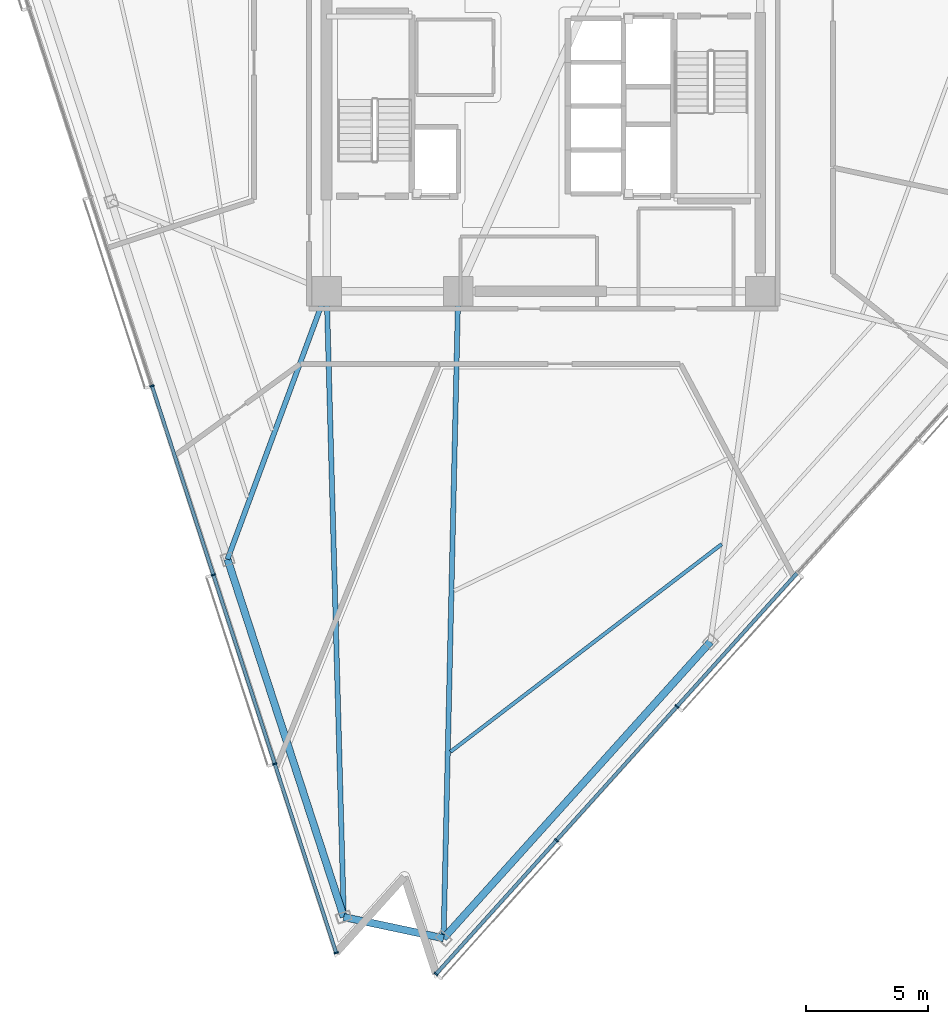
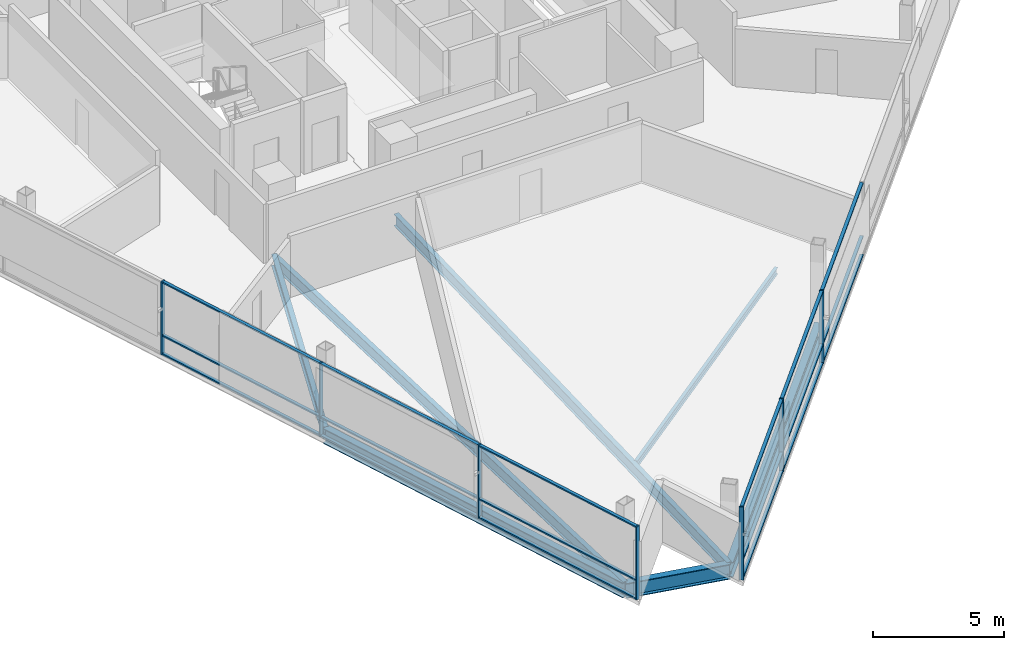
# One storey, part 2 of 17: 25 members, 7 beams, 2 elements without a shape of their own.
"""IFC4 building model written with IfcOpenShell, lengths in metres."""

import ifcopenshell
import ifcopenshell.guid

model = None  # the IFC model being written
_history = None  # IfcOwnerHistory: only IFC2X3 demands one
_inside = {}  # id of a spatial element -> (the spatial element, [elements in it])
_under = {}  # id of a project, library or spatial element -> (it, [spatial elements below it])
_declared = {}  # id of a project -> (the project, [libraries it declares])
_typed = {}  # id of a type object -> (the type object, [elements of that type])
_made_of = {}  # id of a material, layer set ... -> (it, [elements and type objects made of it])


def new_model(schema):
    """Start an empty IFC model of exactly this schema.

    Asked for "IFC4X3", IfcOpenShell would pick the latest addendum, in which some entities
    have other attributes; the version numbers below select the first issue.
    IFC2X3 requires an IfcOwnerHistory on every rooted entity: one is made here for all.
    """
    global model, _history
    if schema == "IFC4X3":
        model = ifcopenshell.file(schema_version=(4, 3, 0, 0))
    else:
        model = ifcopenshell.file(schema=schema)
    _inside.clear()
    _under.clear()
    _declared.clear()
    _typed.clear()
    _made_of.clear()
    _history = None
    if model.schema == "IFC2X3":
        org = make("IfcOrganization", Name="unknown")
        user = make(
            "IfcPersonAndOrganization",
            ThePerson=make("IfcPerson", FamilyName="unknown"),
            TheOrganization=org,
        )
        app = make(
            "IfcApplication",
            ApplicationDeveloper=org,
            Version="unknown",
            ApplicationFullName="unknown",
            ApplicationIdentifier="unknown",
        )
        _history = make(
            "IfcOwnerHistory",
            OwningUser=user,
            OwningApplication=app,
            ChangeAction="ADDED",
            CreationDate=0,
        )
    return model


def make(cls, **values):
    """One entity of the class cls with the attributes given. An attribute that is None is left unset."""
    return model.create_entity(
        cls, **{name: value for name, value in values.items() if value is not None}
    )


def rooted(cls, **values):
    """An entity with a GlobalId (a new one), such as an element, a storey or a relation."""
    return make(cls, GlobalId=ifcopenshell.guid.new(), OwnerHistory=_history, **values)


def si_unit(unit_type, name, prefix=None):
    """IfcSIUnit, for example si_unit("LENGTHUNIT", "METRE", prefix="MILLI")."""
    return make("IfcSIUnit", UnitType=unit_type, Prefix=prefix, Name=name)


def assignment(units):
    """IfcUnitAssignment: the units of a project."""
    return None if units is None else make("IfcUnitAssignment", Units=units)


def point(xyz):
    """IfcCartesianPoint."""
    return None if xyz is None else make("IfcCartesianPoint", Coordinates=xyz)


def direction(xyz):
    """IfcDirection."""
    return None if xyz is None else make("IfcDirection", DirectionRatios=xyz)


def frame(location, z_axis=None, x_axis=None):
    """IfcAxis2Placement3D, a coordinate frame: its origin and axes. An axis left out is left unset."""
    return make(
        "IfcAxis2Placement3D",
        Location=point(location),
        Axis=direction(z_axis),
        RefDirection=direction(x_axis),
    )


def frame_2d(location, x_axis=None):
    """IfcAxis2Placement2D, a coordinate frame in the plane: its origin and x axis."""
    return make(
        "IfcAxis2Placement2D", Location=point(location), RefDirection=direction(x_axis)
    )


def origin():
    """The frame at (0, 0, 0) with its axes left unset."""
    return frame((0.0, 0.0, 0.0))


def origin_2d():
    """The frame at (0, 0) in the plane with its x axis left unset."""
    return frame_2d((0.0, 0.0))


def place(relative_to, where):
    """IfcLocalPlacement: puts the frame where relative to a parent placement (None: the world)."""
    return make(
        "IfcLocalPlacement", PlacementRelTo=relative_to, RelativePlacement=where
    )


def context(
    kind, dimensions, precision=None, world=None, true_north=None, identifier=None
):
    """IfcGeometricRepresentationContext, for example the 3D "Model" context."""
    return make(
        "IfcGeometricRepresentationContext",
        ContextIdentifier=identifier,
        ContextType=kind,
        CoordinateSpaceDimension=dimensions,
        Precision=precision,
        WorldCoordinateSystem=world,
        TrueNorth=true_north,
    )


def subcontext(parent, identifier, kind, view, scale=None):
    """IfcGeometricRepresentationSubContext, for example "Body" below "Model"."""
    return make(
        "IfcGeometricRepresentationSubContext",
        ContextIdentifier=identifier,
        ContextType=kind,
        ParentContext=parent,
        TargetScale=scale,
        TargetView=view,
    )


def project(units=None, contexts=None):
    """IfcProject with its units and contexts."""
    return rooted(
        "IfcProject",
        Name="project",
        RepresentationContexts=contexts,
        UnitsInContext=assignment(units),
    )


def spatial(cls, under=None, at=None, **own):
    """A site, building, storey or space (cls), placed at a placement, below another one or the project."""
    s = rooted(cls, ObjectPlacement=at, **own)
    if under is not None:
        _under.setdefault(under.id(), (under, []))[1].append(s)
    return s


def profile(cls, at=None, kind="AREA", **sizes):
    """A parametric profile (cls). Its sizes go by their IFC names, for example OverallWidth=200.0."""
    return make(cls, ProfileType=kind, Position=at, **sizes)


def rectangle(**sizes):
    """IfcRectangleProfileDef."""
    return profile("IfcRectangleProfileDef", **sizes)


def i_section(**sizes):
    """IfcIShapeProfileDef."""
    return profile("IfcIShapeProfileDef", **sizes)


def extrude(swept, where, along, depth):
    """IfcExtrudedAreaSolid: the profile swept, set in the frame where, extruded along a direction by depth."""
    return make(
        "IfcExtrudedAreaSolid",
        SweptArea=swept,
        Position=where,
        ExtrudedDirection=direction(along),
        Depth=depth,
    )


def shape(context_of_items, identifier, shape_type, items):
    """IfcShapeRepresentation: the items that make up one representation, for example the "Body"."""
    return make(
        "IfcShapeRepresentation",
        ContextOfItems=context_of_items,
        RepresentationIdentifier=identifier,
        RepresentationType=shape_type,
        Items=items,
    )


def material(Name=None, Category=None):
    """IfcMaterial."""
    return make("IfcMaterial", Name=Name, Category=Category)


def layer(
    of_material, thickness, ventilated=None, Name=None, Category=None, Priority=None
):
    """IfcMaterialLayer: one layer of a wall or slab, of a material (None: an air gap)."""
    return make(
        "IfcMaterialLayer",
        Material=of_material,
        LayerThickness=thickness,
        IsVentilated=ventilated,
        Name=Name,
        Category=Category,
        Priority=Priority,
    )


def layer_set(layers, Name=None):
    """IfcMaterialLayerSet."""
    return make("IfcMaterialLayerSet", MaterialLayers=layers, LayerSetName=Name)


def material_profile(
    of_material, cross_section, Name=None, Category=None, Priority=None
):
    """IfcMaterialProfile: a cross section and its material."""
    return make(
        "IfcMaterialProfile",
        Name=Name,
        Material=of_material,
        Profile=cross_section,
        Priority=Priority,
        Category=Category,
    )


def profile_set(profiles, Name=None, composite=None):
    """IfcMaterialProfileSet."""
    return make(
        "IfcMaterialProfileSet",
        Name=Name,
        MaterialProfiles=profiles,
        CompositeProfile=composite,
    )


def made_of(thing, what):
    """Note that an element or type object is made of a material, layer set ...; save() writes the relation."""
    if what is not None:
        _made_of.setdefault(what.id(), (what, []))[1].append(thing)
    return thing


def type_object(cls, material=None, **own):
    """A type object (cls), such as IfcWallType, which elements share."""
    return made_of(rooted(cls, **own), material)


def element(
    cls,
    number,
    at=None,
    inside=None,
    cuts=None,
    type_object=None,
    material=None,
    context=None,
    identifier="Body",
    shape_type=None,
    held_by="IfcProductDefinitionShape",
    body=None,
    shapes=None,
    **own,
):
    """One element of the class cls, such as IfcWall. Its Tag is "e" and its number.

    at: its placement. inside: the storey or other place that contains it. cuts: it is an
    opening in that element (IfcRelVoidsElement). A single representation is given by context,
    identifier, shape_type and body (its items); several are given by shapes. held_by: the class
    of the entity that holds the representations. save() writes the other relations.
    """
    e = rooted(cls, Tag="e%d" % number, ObjectPlacement=at, **own)
    if body is not None:
        shapes = [shape(context, identifier, shape_type, body)]
    if shapes is not None:
        e.Representation = make(held_by, Representations=shapes)
    if inside is not None:
        _inside.setdefault(inside.id(), (inside, []))[1].append(e)
    if cuts is not None:
        rooted(
            "IfcRelVoidsElement", RelatingBuildingElement=cuts, RelatedOpeningElement=e
        )
    if type_object is not None:
        _typed.setdefault(type_object.id(), (type_object, []))[1].append(e)
    return made_of(e, material)


def aggregate(whole, parts):
    """IfcRelAggregates: a whole, such as a stair, and the parts it consists of."""
    return rooted("IfcRelAggregates", RelatingObject=whole, RelatedObjects=parts)


def save(model, path):
    """Write the relations noted so far, then the file.

    IfcRelAggregates (storeys below a building ...), IfcRelContainedInSpatialStructure (elements
    in a storey), IfcRelDefinesByType, IfcRelAssociatesMaterial and IfcRelDeclares: one each for
    every whole, place, type object, material and project.
    """
    for whole, parts in _under.values():
        aggregate(whole, parts)
    for where, things in _inside.values():
        rooted(
            "IfcRelContainedInSpatialStructure",
            RelatedElements=things,
            RelatingStructure=where,
        )
    for kind, things in _typed.values():
        rooted("IfcRelDefinesByType", RelatedObjects=things, RelatingType=kind)
    for what, things in _made_of.values():
        rooted("IfcRelAssociatesMaterial", RelatedObjects=things, RelatingMaterial=what)
    for by, libraries in _declared.values():
        rooted("IfcRelDeclares", RelatingContext=by, RelatedDefinitions=libraries)
    model.write(path)


model = new_model("IFC4")

# Units and contexts
model_context = context("Model", 3, precision=1e-05, world=origin(), true_north=direction((0.0, 1.0)))
body_context = subcontext(model_context, "Body", "Model", "MODEL_VIEW")
ifc_project = project(units=[si_unit("LENGTHUNIT", "METRE"), si_unit("AREAUNIT", "SQUARE_METRE"), si_unit("VOLUMEUNIT", "CUBIC_METRE"), si_unit("PLANEANGLEUNIT", "RADIAN"), si_unit("MASSUNIT", "GRAM", prefix="KILO")], contexts=[model_context])

# Site, building, storey
site_placement = place(None, origin())
site = spatial("IfcSite", under=ifc_project, at=site_placement, CompositionType="ELEMENT")
building_placement = place(site_placement, origin())
building = spatial("IfcBuilding", under=site, at=building_placement, Name="Tharavind Bronze Gate", CompositionType="ELEMENT")
storey_placement = place(building_placement, frame((0.0, 0.0, 200.449951171875)))
storey = spatial("IfcBuildingStorey", under=building, at=storey_placement, Name="L51", CompositionType="ELEMENT", Elevation=200.449951171875)

# Curtain wall, members
ifc_material_1 = material(Name="Anodised Bronze Aluminium", Category="aluminium")
ifc_layer = layer(ifc_material_1, 0.219970703125)
ifc_layer_set = layer_set([ifc_layer], Name="Anodised Bronze Aluminium")
curtain_wall_type = type_object("IfcCurtainWallType", Name="UNITISED CURTAIN WALL MID OFFICE", PredefinedType="USERDEFINED", material=ifc_layer_set)
curtain_wall_1_placement = place(storey_placement, origin())
curtain_wall_1 = element("IfcCurtainWall", 1, at=curtain_wall_1_placement, inside=storey, type_object=curtain_wall_type, Name="L51 unitised curtain wall mid office CW-L51-S1", ObjectType="UNITISED CURTAIN WALL", PredefinedType="USERDEFINED")
member_type_1 = type_object("IfcMemberType", Name="CURTAIN WALL BRONZE MULLION 65X180", PredefinedType="MULLION", material=ifc_material_1)
member_1_placement = place(storey_placement, frame((-16.0693359375, -11.489013671875, 0.0), z_axis=(0.0, 0.0, 1.0), x_axis=(0.309016994375, -0.951056516295, 0.0)))
member_1 = element("IfcMember", 2, at=member_1_placement, type_object=member_type_1, Name="CW-L51-S1 mullion 4", PredefinedType="MULLION", context=body_context, shape_type="SweptSolid", body=[
    extrude(rectangle(XDim=0.06494140625, YDim=0.179931640625, at=origin_2d()), origin(), (0.0, 0.0, 1.0), 3.419921875),
])
member_2_placement = place(storey_placement, frame((-13.54931640625, -19.24560546875, 0.0), z_axis=(0.0, 0.0, 1.0), x_axis=(0.309016994375, -0.951056516295, 0.0)))
member_2 = element("IfcMember", 3, at=member_2_placement, type_object=member_type_1, Name="CW-L51-S1 mullion 5", PredefinedType="MULLION", context=body_context, shape_type="SweptSolid", body=[
    extrude(rectangle(XDim=0.06494140625, YDim=0.179931640625, at=origin_2d()), origin(), (0.0, 0.0, 1.0), 3.419921875),
])
member_3_placement = place(storey_placement, frame((-11.029052734375, -27.002197265625, 0.0), z_axis=(0.0, 0.0, 1.0), x_axis=(0.309016994375, -0.951056516295, 0.0)))
member_3 = element("IfcMember", 4, at=member_3_placement, type_object=member_type_1, Name="CW-L51-S1 mullion 6", PredefinedType="MULLION", context=body_context, shape_type="SweptSolid", body=[
    extrude(rectangle(XDim=0.06494140625, YDim=0.179931640625, at=origin_2d()), origin(), (0.0, 0.0, 1.0), 3.419921875),
])
member_4_placement = place(storey_placement, frame((-8.5087890625, -34.7587890625, 0.0), z_axis=(0.0, 0.0, 1.0), x_axis=(0.309016994375, -0.951056516295, 0.0)))
member_4 = element("IfcMember", 5, at=member_4_placement, type_object=member_type_1, Name="CW-L51-S1 mullion 7", PredefinedType="MULLION", context=body_context, shape_type="SweptSolid", body=[
    extrude(rectangle(XDim=0.06494140625, YDim=0.179931640625, at=origin_2d()), origin(), (0.0, 0.0, 1.0), 3.419921875),
])

curtain_wall_2_placement = place(storey_placement, origin())
curtain_wall_2 = element("IfcCurtainWall", 6, at=curtain_wall_2_placement, inside=storey, type_object=curtain_wall_type, Name="L51 unitised curtain wall mid office CW-L51-S2", ObjectType="UNITISED CURTAIN WALL", PredefinedType="USERDEFINED")
member_5_placement = place(storey_placement, frame((-4.412109375, -35.62939453125, 0.0), z_axis=(0.0, 0.0, 1.0), x_axis=(0.669130606359, 0.743144825477, 0.0)))
member_5 = element("IfcMember", 7, at=member_5_placement, type_object=member_type_1, Name="CW-L51-S2 mullion 1", PredefinedType="MULLION", context=body_context, shape_type="SweptSolid", body=[
    extrude(rectangle(XDim=0.06494140625, YDim=0.179931640625, at=origin_2d()), origin(), (0.0, 0.0, 1.0), 3.419921875),
])
member_6_placement = place(storey_placement, frame((0.5322265625, -30.13818359375, 0.0), z_axis=(0.0, 0.0, 1.0), x_axis=(0.669130606359, 0.743144825477, 0.0)))
member_6 = element("IfcMember", 8, at=member_6_placement, type_object=member_type_1, Name="CW-L51-S2 mullion 2", PredefinedType="MULLION", context=body_context, shape_type="SweptSolid", body=[
    extrude(rectangle(XDim=0.06494140625, YDim=0.179931640625, at=origin_2d()), origin(), (0.0, 0.0, 1.0), 3.419921875),
])
member_7_placement = place(storey_placement, frame((5.476806640625, -24.646484375, 0.0), z_axis=(0.0, 0.0, 1.0), x_axis=(0.669130606359, 0.743144825477, 0.0)))
member_7 = element("IfcMember", 9, at=member_7_placement, type_object=member_type_1, Name="CW-L51-S2 mullion 3", PredefinedType="MULLION", context=body_context, shape_type="SweptSolid", body=[
    extrude(rectangle(XDim=0.06494140625, YDim=0.179931640625, at=origin_2d()), origin(), (0.0, 0.0, 1.0), 3.419921875),
])

# Member
member_type_2 = type_object("IfcMemberType", Name="CURTAIN WALL BRONZE TRANSOM 65X140", PredefinedType="USERDEFINED", material=ifc_material_1)
member_8_placement = place(storey_placement, frame((-14.809326171875, -15.367431640625, 0.0), z_axis=(0.0, 0.0, 1.0), x_axis=(0.309016994375, -0.951056516295, 0.0)))
member_8 = element("IfcMember", 10, at=member_8_placement, type_object=member_type_2, Name="CW-L51-S1 transom TB4", ObjectType="TRANSOM", PredefinedType="USERDEFINED", context=body_context, shape_type="SweptSolid", body=[
    extrude(rectangle(XDim=8.102783203125, YDim=0.139892578125, at=origin_2d()), origin(), (0.0, 0.0, 1.0), 0.06494140625),
])

member_9_placement = place(storey_placement, frame((-14.809326171875, -15.367431640625, 0.86767578125), z_axis=(0.0, 0.0, 1.0), x_axis=(0.309016994375, -0.951056516295, 0.0)))
member_9 = element("IfcMember", 11, at=member_9_placement, type_object=member_type_2, Name="CW-L51-S1 transom TS4", ObjectType="TRANSOM", PredefinedType="USERDEFINED", context=body_context, shape_type="SweptSolid", body=[
    extrude(rectangle(XDim=8.102783203125, YDim=0.139892578125, at=origin_2d()), origin(), (0.0, 0.0, 1.0), 0.06494140625),
])

member_10_placement = place(storey_placement, frame((-14.809326171875, -15.367431640625, 3.35498046875), z_axis=(0.0, 0.0, 1.0), x_axis=(0.309016994375, -0.951056516295, 0.0)))
member_10 = element("IfcMember", 12, at=member_10_placement, type_object=member_type_2, Name="CW-L51-S1 transom TT4", ObjectType="TRANSOM", PredefinedType="USERDEFINED", context=body_context, shape_type="SweptSolid", body=[
    extrude(rectangle(XDim=8.102783203125, YDim=0.139892578125, at=origin_2d()), origin(), (0.0, 0.0, 1.0), 0.06494140625),
])

member_11_placement = place(storey_placement, frame((-12.2890625, -23.123779296875, 0.0), z_axis=(0.0, 0.0, 1.0), x_axis=(0.309016994375, -0.951056516295, 0.0)))
member_11 = element("IfcMember", 13, at=member_11_placement, type_object=member_type_2, Name="CW-L51-S1 transom TB5", ObjectType="TRANSOM", PredefinedType="USERDEFINED", context=body_context, shape_type="SweptSolid", body=[
    extrude(rectangle(XDim=8.102783203125, YDim=0.139892578125, at=origin_2d()), origin(), (0.0, 0.0, 1.0), 0.06494140625),
])

member_12_placement = place(storey_placement, frame((-12.2890625, -23.123779296875, 0.86767578125), z_axis=(0.0, 0.0, 1.0), x_axis=(0.309016994375, -0.951056516295, 0.0)))
member_12 = element("IfcMember", 14, at=member_12_placement, type_object=member_type_2, Name="CW-L51-S1 transom TS5", ObjectType="TRANSOM", PredefinedType="USERDEFINED", context=body_context, shape_type="SweptSolid", body=[
    extrude(rectangle(XDim=8.102783203125, YDim=0.139892578125, at=origin_2d()), origin(), (0.0, 0.0, 1.0), 0.06494140625),
])

member_13_placement = place(storey_placement, frame((-12.2890625, -23.123779296875, 3.35498046875), z_axis=(0.0, 0.0, 1.0), x_axis=(0.309016994375, -0.951056516295, 0.0)))
member_13 = element("IfcMember", 15, at=member_13_placement, type_object=member_type_2, Name="CW-L51-S1 transom TT5", ObjectType="TRANSOM", PredefinedType="USERDEFINED", context=body_context, shape_type="SweptSolid", body=[
    extrude(rectangle(XDim=8.102783203125, YDim=0.139892578125, at=origin_2d()), origin(), (0.0, 0.0, 1.0), 0.06494140625),
])

member_14_placement = place(storey_placement, frame((-9.768798828125, -30.88037109375, 0.0), z_axis=(0.0, 0.0, 1.0), x_axis=(0.309016994375, -0.951056516295, 0.0)))
member_14 = element("IfcMember", 16, at=member_14_placement, type_object=member_type_2, Name="CW-L51-S1 transom TB6", ObjectType="TRANSOM", PredefinedType="USERDEFINED", context=body_context, shape_type="SweptSolid", body=[
    extrude(rectangle(XDim=8.102783203125, YDim=0.139892578125, at=origin_2d()), origin(), (0.0, 0.0, 1.0), 0.06494140625),
])

member_15_placement = place(storey_placement, frame((-9.768798828125, -30.88037109375, 0.86767578125), z_axis=(0.0, 0.0, 1.0), x_axis=(0.309016994375, -0.951056516295, 0.0)))
member_15 = element("IfcMember", 17, at=member_15_placement, type_object=member_type_2, Name="CW-L51-S1 transom TS6", ObjectType="TRANSOM", PredefinedType="USERDEFINED", context=body_context, shape_type="SweptSolid", body=[
    extrude(rectangle(XDim=8.102783203125, YDim=0.139892578125, at=origin_2d()), origin(), (0.0, 0.0, 1.0), 0.06494140625),
])

member_16_placement = place(storey_placement, frame((-9.768798828125, -30.88037109375, 3.35498046875), z_axis=(0.0, 0.0, 1.0), x_axis=(0.309016994375, -0.951056516295, 0.0)))
member_16 = element("IfcMember", 18, at=member_16_placement, type_object=member_type_2, Name="CW-L51-S1 transom TT6", ObjectType="TRANSOM", PredefinedType="USERDEFINED", context=body_context, shape_type="SweptSolid", body=[
    extrude(rectangle(XDim=8.102783203125, YDim=0.139892578125, at=origin_2d()), origin(), (0.0, 0.0, 1.0), 0.06494140625),
])

aggregate(curtain_wall_1, [member_1, member_2, member_3, member_4, member_8, member_9, member_10, member_11, member_12, member_13, member_14, member_15, member_16])

member_17_placement = place(storey_placement, frame((-1.93994140625, -32.8837890625, 0.0), z_axis=(0.0, 0.0, 1.0), x_axis=(0.669130606359, 0.743144825477, 0.0)))
member_17 = element("IfcMember", 19, at=member_17_placement, type_object=member_type_2, Name="CW-L51-S2 transom TB1", ObjectType="TRANSOM", PredefinedType="USERDEFINED", context=body_context, shape_type="SweptSolid", body=[
    extrude(rectangle(XDim=7.33642578125, YDim=0.139892578125, at=origin_2d()), origin(), (0.0, 0.0, 1.0), 0.06494140625),
])

member_18_placement = place(storey_placement, frame((-1.93994140625, -32.8837890625, 0.86767578125), z_axis=(0.0, 0.0, 1.0), x_axis=(0.669130606359, 0.743144825477, 0.0)))
member_18 = element("IfcMember", 20, at=member_18_placement, type_object=member_type_2, Name="CW-L51-S2 transom TS1", ObjectType="TRANSOM", PredefinedType="USERDEFINED", context=body_context, shape_type="SweptSolid", body=[
    extrude(rectangle(XDim=7.33642578125, YDim=0.139892578125, at=origin_2d()), origin(), (0.0, 0.0, 1.0), 0.06494140625),
])

member_19_placement = place(storey_placement, frame((-1.93994140625, -32.8837890625, 3.35498046875), z_axis=(0.0, 0.0, 1.0), x_axis=(0.669130606359, 0.743144825477, 0.0)))
member_19 = element("IfcMember", 21, at=member_19_placement, type_object=member_type_2, Name="CW-L51-S2 transom TT1", ObjectType="TRANSOM", PredefinedType="USERDEFINED", context=body_context, shape_type="SweptSolid", body=[
    extrude(rectangle(XDim=7.33642578125, YDim=0.139892578125, at=origin_2d()), origin(), (0.0, 0.0, 1.0), 0.06494140625),
])

member_20_placement = place(storey_placement, frame((3.004638671875, -27.392333984375, 0.0), z_axis=(0.0, 0.0, 1.0), x_axis=(0.669130606359, 0.743144825477, 0.0)))
member_20 = element("IfcMember", 22, at=member_20_placement, type_object=member_type_2, Name="CW-L51-S2 transom TB2", ObjectType="TRANSOM", PredefinedType="USERDEFINED", context=body_context, shape_type="SweptSolid", body=[
    extrude(rectangle(XDim=7.33642578125, YDim=0.139892578125, at=origin_2d()), origin(), (0.0, 0.0, 1.0), 0.06494140625),
])

member_21_placement = place(storey_placement, frame((3.004638671875, -27.392333984375, 0.86767578125), z_axis=(0.0, 0.0, 1.0), x_axis=(0.669130606359, 0.743144825477, 0.0)))
member_21 = element("IfcMember", 23, at=member_21_placement, type_object=member_type_2, Name="CW-L51-S2 transom TS2", ObjectType="TRANSOM", PredefinedType="USERDEFINED", context=body_context, shape_type="SweptSolid", body=[
    extrude(rectangle(XDim=7.33642578125, YDim=0.139892578125, at=origin_2d()), origin(), (0.0, 0.0, 1.0), 0.06494140625),
])

member_22_placement = place(storey_placement, frame((3.004638671875, -27.392333984375, 3.35498046875), z_axis=(0.0, 0.0, 1.0), x_axis=(0.669130606359, 0.743144825477, 0.0)))
member_22 = element("IfcMember", 24, at=member_22_placement, type_object=member_type_2, Name="CW-L51-S2 transom TT2", ObjectType="TRANSOM", PredefinedType="USERDEFINED", context=body_context, shape_type="SweptSolid", body=[
    extrude(rectangle(XDim=7.33642578125, YDim=0.139892578125, at=origin_2d()), origin(), (0.0, 0.0, 1.0), 0.06494140625),
])

member_23_placement = place(storey_placement, frame((7.94921875, -21.90087890625, 0.0), z_axis=(0.0, 0.0, 1.0), x_axis=(0.669130606359, 0.743144825477, 0.0)))
member_23 = element("IfcMember", 25, at=member_23_placement, type_object=member_type_2, Name="CW-L51-S2 transom TB3", ObjectType="TRANSOM", PredefinedType="USERDEFINED", context=body_context, shape_type="SweptSolid", body=[
    extrude(rectangle(XDim=7.33642578125, YDim=0.139892578125, at=origin_2d()), origin(), (0.0, 0.0, 1.0), 0.06494140625),
])

member_24_placement = place(storey_placement, frame((7.94921875, -21.90087890625, 0.86767578125), z_axis=(0.0, 0.0, 1.0), x_axis=(0.669130606359, 0.743144825477, 0.0)))
member_24 = element("IfcMember", 26, at=member_24_placement, type_object=member_type_2, Name="CW-L51-S2 transom TS3", ObjectType="TRANSOM", PredefinedType="USERDEFINED", context=body_context, shape_type="SweptSolid", body=[
    extrude(rectangle(XDim=7.33642578125, YDim=0.139892578125, at=origin_2d()), origin(), (0.0, 0.0, 1.0), 0.06494140625),
])

member_25_placement = place(storey_placement, frame((7.94921875, -21.90087890625, 3.35498046875), z_axis=(0.0, 0.0, 1.0), x_axis=(0.669130606359, 0.743144825477, 0.0)))
member_25 = element("IfcMember", 27, at=member_25_placement, type_object=member_type_2, Name="CW-L51-S2 transom TT3", ObjectType="TRANSOM", PredefinedType="USERDEFINED", context=body_context, shape_type="SweptSolid", body=[
    extrude(rectangle(XDim=7.33642578125, YDim=0.139892578125, at=origin_2d()), origin(), (0.0, 0.0, 1.0), 0.06494140625),
])

aggregate(curtain_wall_2, [member_5, member_6, member_7, member_17, member_18, member_19, member_20, member_21, member_22, member_23, member_24, member_25])

# Beams
ifc_material_2 = material(Name="Steel S355", Category="steel")
ifc_material_profile_1 = material_profile(ifc_material_2, i_section(OverallWidth=0.2099609375, OverallDepth=0.550048828125, WebThickness=0.010986328125, FlangeThickness=0.01708984375, at=origin_2d()), Name="IPE550")
ifc_profile_set_1 = profile_set([ifc_material_profile_1], Name="Steel S355")
beam_type_1 = type_object("IfcBeamType", Name="PRIMARY GIRDER IPE550", PredefinedType="USERDEFINED", material=ifc_profile_set_1)
beam_1_placement = place(storey_placement, frame((-12.9697265625, -18.60205078125, -0.454833984375), z_axis=(0.34694151405, 0.937886765995, 0.0), x_axis=(-0.937886765995, 0.34694151405, 0.0)))
element("IfcBeam", 28, at=beam_1_placement, inside=storey, type_object=beam_type_1, Name="L51 primary girder ipe550 BM-L51-RAD03", ObjectType="GIRDER", PredefinedType="USERDEFINED", context=body_context, shape_type="SweptSolid", body=[
    extrude(i_section(OverallWidth=0.2099609375, OverallDepth=0.550048828125, WebThickness=0.010986328125, FlangeThickness=0.01708984375, at=origin_2d()), origin(), (0.0, 0.0, 1.0), 11.73046875),
])
beam_2_placement = place(storey_placement, frame((-8.197021484375, -33.29150390625, -0.454833984375), z_axis=(-0.027348365031, 0.999625963513, 0.0), x_axis=(-0.999625963513, -0.027348365031, 0.0)))
element("IfcBeam", 29, at=beam_2_placement, inside=storey, type_object=beam_type_1, Name="L51 primary girder ipe550 BM-L51-RAD04", ObjectType="GIRDER", PredefinedType="USERDEFINED", context=body_context, shape_type="SweptSolid", body=[
    extrude(i_section(OverallWidth=0.2099609375, OverallDepth=0.550048828125, WebThickness=0.010986328125, FlangeThickness=0.01708984375, at=origin_2d()), origin(), (0.0, 0.0, 1.0), 25.700927734375),
])
beam_3_placement = place(storey_placement, frame((-4.100341796875, -34.162353515625, -0.454833984375), z_axis=(0.022595540292, 0.999744688187, 0.0), x_axis=(-0.999744688187, 0.022595540292, 0.0)))
element("IfcBeam", 30, at=beam_3_placement, inside=storey, type_object=beam_type_1, Name="L51 primary girder ipe550 BM-L51-RAD05", ObjectType="GIRDER", PredefinedType="USERDEFINED", context=body_context, shape_type="SweptSolid", body=[
    extrude(i_section(OverallWidth=0.2099609375, OverallDepth=0.550048828125, WebThickness=0.010986328125, FlangeThickness=0.01708984375, at=origin_2d()), origin(), (0.0, 0.0, 1.0), 26.569091796875),
])
ifc_material_profile_2 = material_profile(ifc_material_2, i_section(OverallWidth=0.300048828125, OverallDepth=0.699951171875, WebThickness=0.01708984375, FlangeThickness=0.031982421875, at=origin_2d()), Name="HE700B")
ifc_profile_set_2 = profile_set([ifc_material_profile_2], Name="Steel S355")
beam_type_2 = type_object("IfcBeamType", Name="RING GIRDER HE700B", PredefinedType="USERDEFINED", material=ifc_profile_set_2)
beam_4_placement = place(storey_placement, frame((-12.9697265625, -18.60205078125, -0.530029296875), z_axis=(0.309006009957, -0.951060085279, 0.0), x_axis=(0.951060085279, 0.309006009957, 0.0)))
element("IfcBeam", 31, at=beam_4_placement, inside=storey, type_object=beam_type_2, Name="L51 ring girder he700b BM-L51-PRG03", ObjectType="GIRDER", PredefinedType="USERDEFINED", context=body_context, shape_type="SweptSolid", body=[
    extrude(i_section(OverallWidth=0.300048828125, OverallDepth=0.699951171875, WebThickness=0.01708984375, FlangeThickness=0.031982421875, at=origin_2d()), origin(), (0.0, 0.0, 1.0), 15.4453125),
])
beam_5_placement = place(storey_placement, frame((-8.197021484375, -33.29150390625, -0.530029296875), z_axis=(0.978144033538, -0.207928472445, 0.0), x_axis=(0.207928472445, 0.978144033538, 0.0)))
element("IfcBeam", 32, at=beam_5_placement, inside=storey, type_object=beam_type_2, Name="L51 ring girder he700b BM-L51-PRG04", ObjectType="GIRDER", PredefinedType="USERDEFINED", context=body_context, shape_type="SweptSolid", body=[
    extrude(i_section(OverallWidth=0.300048828125, OverallDepth=0.699951171875, WebThickness=0.01708984375, FlangeThickness=0.031982421875, at=origin_2d()), origin(), (0.0, 0.0, 1.0), 4.188232421875),
])
beam_6_placement = place(storey_placement, frame((-4.100341796875, -34.162353515625, -0.530029296875), z_axis=(0.669127800443, 0.743147351926, 0.0), x_axis=(-0.743147351926, 0.669127800443, 0.0)))
element("IfcBeam", 33, at=beam_6_placement, inside=storey, type_object=beam_type_2, Name="L51 ring girder he700b BM-L51-PRG05", ObjectType="GIRDER", PredefinedType="USERDEFINED", context=body_context, shape_type="SweptSolid", body=[
    extrude(i_section(OverallWidth=0.300048828125, OverallDepth=0.699951171875, WebThickness=0.01708984375, FlangeThickness=0.031982421875, at=origin_2d()), origin(), (0.0, 0.0, 1.0), 16.376220703125),
])
ifc_material_profile_3 = material_profile(ifc_material_2, i_section(OverallWidth=0.14990234375, OverallDepth=0.300048828125, WebThickness=0.007080078125, FlangeThickness=0.0107421875, at=origin_2d()), Name="IPE300")
ifc_profile_set_3 = profile_set([ifc_material_profile_3], Name="Steel S355")
beam_type_3 = type_object("IfcBeamType", Name="SECONDARY FLOOR JOIST IPE300", PredefinedType="JOIST", material=ifc_profile_set_3)
beam_7_placement = place(storey_placement, frame((-3.819091796875, -26.5078125, -0.329833984375), z_axis=(0.794097846092, 0.607789939726, 0.0), x_axis=(-0.607789939726, 0.794097846092, 0.0)))
element("IfcBeam", 34, at=beam_7_placement, inside=storey, type_object=beam_type_3, Name="L51 secondary floor joist ipe300 BM-L51-JSTB05", PredefinedType="JOIST", context=body_context, shape_type="SweptSolid", body=[
    extrude(i_section(OverallWidth=0.14990234375, OverallDepth=0.300048828125, WebThickness=0.007080078125, FlangeThickness=0.0107421875, at=origin_2d()), origin(), (0.0, 0.0, 1.0), 14.024169921875),
])

save(model, "model.ifc")
